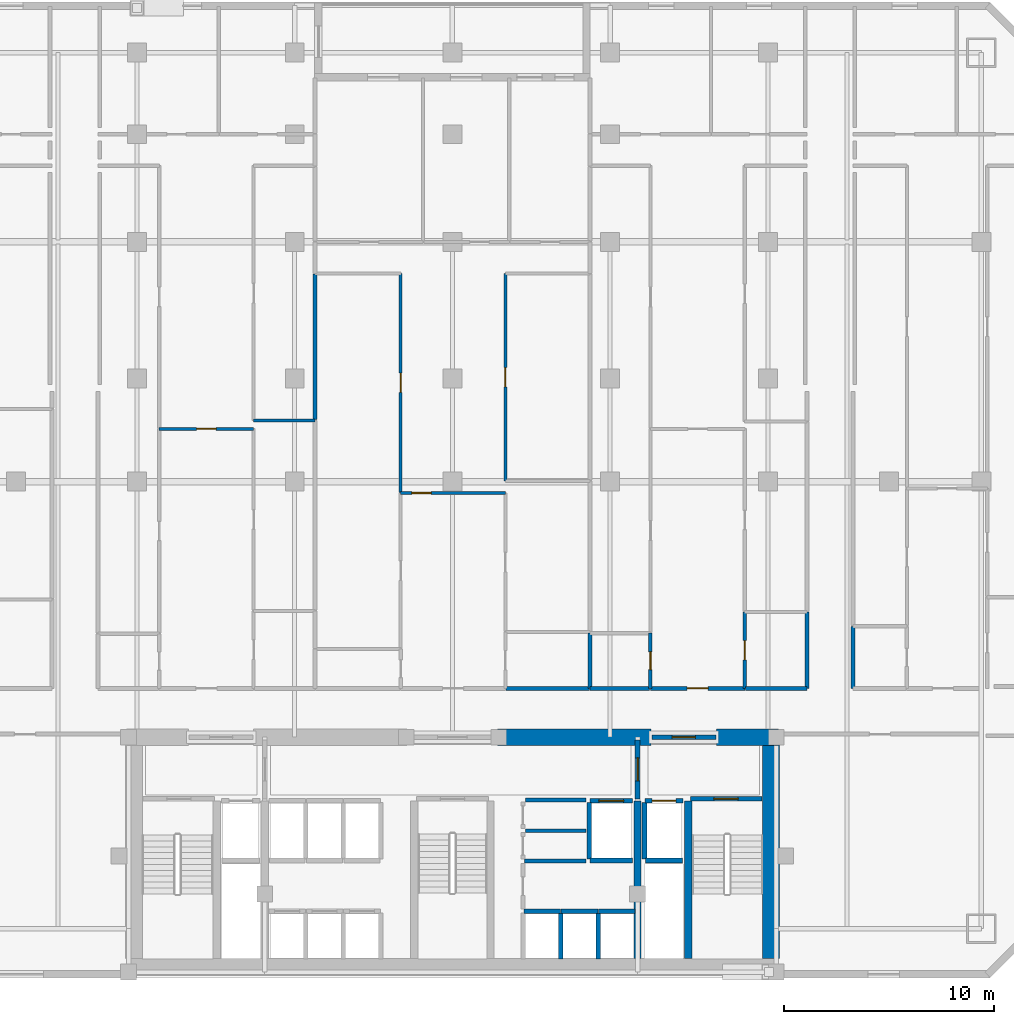
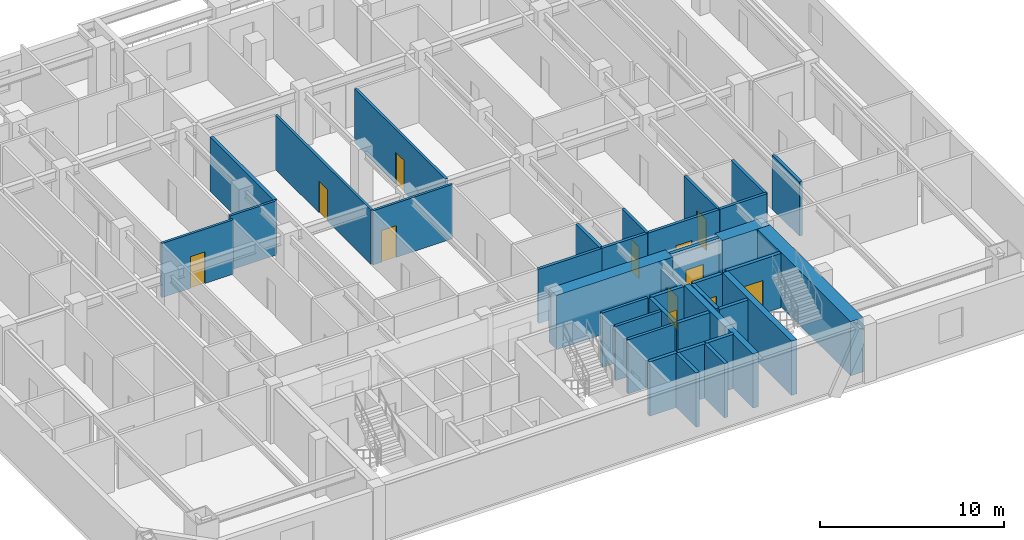
# One storey, part 5 of 10: 37 walls, 12 doors, 12 openings.
"""IFC4 building model written with IfcOpenShell, lengths in metres."""

from ifc_helpers import new_model, si_unit, direction, frame, frame_2d, origin, place, context, subcontext, project, spatial, rectangle, extrude, material, layer, layer_set, type_object, element, fill, save


model = new_model("IFC4")

# Units and contexts
model_context = context("Model", 3, precision=1e-05, world=origin(), true_north=direction((0.0, 1.0)))
body_context = subcontext(model_context, "Body", "Model", "MODEL_VIEW")
ifc_project = project(units=[si_unit("LENGTHUNIT", "METRE"), si_unit("AREAUNIT", "SQUARE_METRE"), si_unit("VOLUMEUNIT", "CUBIC_METRE"), si_unit("PLANEANGLEUNIT", "RADIAN"), si_unit("MASSUNIT", "GRAM", prefix="KILO")], contexts=[model_context])

# Site, building, storey
site_placement = place(None, origin())
site = spatial("IfcSite", under=ifc_project, at=site_placement, CompositionType="ELEMENT")
building_placement = place(site_placement, origin())
building = spatial("IfcBuilding", under=site, at=building_placement, Name="Ventersveld Concourse Tower", CompositionType="ELEMENT")
storey_placement = place(building_placement, frame((0.0, 0.0, 56.75)))
storey = spatial("IfcBuildingStorey", under=building, at=storey_placement, Name="L13", CompositionType="ELEMENT", Elevation=56.75)

# Walls
ifc_material_1 = material(Name="Concrete C60/75", Category="concrete")
ifc_layer_1 = layer(ifc_material_1, 0.35009765625)
ifc_layer_set_1 = layer_set([ifc_layer_1], Name="Concrete C60/75")
wall_type_1 = type_object("IfcWallType", Name="WL-CORE-350L", PredefinedType="SHEAR", material=ifc_layer_set_1)
for number, where, z_axis, x_axis, name in (
    (1, (37.550048828125, 0.919921875, 0.0), (0.0, 0.0, 1.0), (0.0, 1.0, 0.0), "L13 Core Internal Shear Web W-SVL-W"),
    (2, (39.9599609375, 0.919921875, 0.0), (0.0, 0.0, 1.0), (0.0, 1.0, 0.0), "L13 Core Internal Shear Web W-ST2-W"),
):
    element("IfcWall", number, at=place(storey_placement, frame(where, z_axis=z_axis, x_axis=x_axis)), inside=storey, type_object=wall_type_1, Name=name, PredefinedType="SHEAR", context=body_context, shape_type="SweptSolid", body=[
        extrude(rectangle(XDim=7.5, YDim=0.35009765625, at=frame_2d((3.75, 0.0))), origin(), (0.0, 0.0, 1.0), 3.60009765625),
    ])
ifc_layer_2 = layer(ifc_material_1, 0.800048828125)
ifc_layer_set_2 = layer_set([ifc_layer_2], Name="Concrete C60/75")
wall_type_2 = type_object("IfcWallType", Name="WL-CORE-800", PredefinedType="SHEAR", material=ifc_layer_set_2)
wall_1_placement = place(storey_placement, frame((43.89990234375, 0.919921875, 0.0), z_axis=(0.0, 0.0, 1.0), x_axis=(0.0, 1.0, 0.0)))
element("IfcWall", 3, at=wall_1_placement, inside=storey, type_object=wall_type_2, Name="L13 Rear Core East Shear Wall", PredefinedType="SHEAR", context=body_context, shape_type="SweptSolid", body=[
    extrude(rectangle(XDim=10.530029296875, YDim=0.800048828125, at=frame_2d((5.26513671875, 0.0))), origin(), (0.0, 0.0, 1.0), 3.60009765625),
])
wall_2_placement = place(storey_placement, frame((30.89990234375, 11.449951171875, 0.0), z_axis=(0.0, 0.0, 1.0), x_axis=(1.0, 0.0, 0.0)))
element("IfcWall", 4, at=wall_2_placement, inside=storey, type_object=wall_type_2, Name="L13 Rear Core North Shear Wall NMR", PredefinedType="SHEAR", context=body_context, shape_type="SweptSolid", body=[
    extrude(rectangle(XDim=7.300048828125, YDim=0.800048828125, at=frame_2d((3.64990234375, 0.0))), origin(), (0.0, 0.0, 1.0), 3.60009765625),
])
wall_3_placement = place(storey_placement, frame((41.300048828125, 11.449951171875, 0.0), z_axis=(0.0, 0.0, 1.0), x_axis=(1.0, 0.0, 0.0)))
element("IfcWall", 5, at=wall_3_placement, inside=storey, type_object=wall_type_2, Name="L13 Rear Core North Shear Wall NE", PredefinedType="SHEAR", context=body_context, shape_type="SweptSolid", body=[
    extrude(rectangle(XDim=2.949951171875, YDim=0.800048828125, at=frame_2d((1.47509765625, 0.0))), origin(), (0.0, 0.0, 1.0), 3.60009765625),
])
ifc_material_2 = material(Name="Fire-rated autoclaved aerated masonry blockwork", Category="masonry")
ifc_layer_3 = layer(ifc_material_2, 0.179931640625)
ifc_layer_set_3 = layer_set([ifc_layer_3], Name="Fire-rated autoclaved aerated masonry blockwork")
wall_type_3 = type_object("IfcWallType", Name="WL-CORR-180", PredefinedType="PARTITIONING", material=ifc_layer_set_3)
wall_4_placement = place(storey_placement, frame((32.219970703125, 7.0, 0.0), z_axis=(0.0, 0.0, 1.0), x_axis=(1.0, 0.0, 0.0)))
element("IfcWall", 6, at=wall_4_placement, inside=storey, type_object=wall_type_3, Name="L13 Core Top Wall SP-L13-CBAY1S", PredefinedType="PARTITIONING", context=body_context, shape_type="SweptSolid", body=[
    extrude(rectangle(XDim=2.880126953125, YDim=0.179931640625, at=frame_2d((1.43994140625, 0.0))), origin(), (0.0, 0.0, 1.0), 3.60009765625),
])
wall_5_placement = place(storey_placement, frame((32.179931640625, 5.570068359375, 0.0), z_axis=(0.0, 0.0, 1.0), x_axis=(1.0, 0.0, 0.0)))
element("IfcWall", 7, at=wall_5_placement, inside=storey, type_object=wall_type_3, Name="L13 Core Bot Wall SP-L13-CBAY1S", PredefinedType="PARTITIONING", context=body_context, shape_type="SweptSolid", body=[
    extrude(rectangle(XDim=2.920166015625, YDim=0.179931640625, at=frame_2d((1.4599609375, 0.0))), origin(), (0.0, 0.0, 1.0), 3.60009765625),
])
wall_6_placement = place(storey_placement, frame((32.219970703125, 8.4599609375, 0.0), z_axis=(0.0, 0.0, 1.0), x_axis=(1.0, 0.0, 0.0)))
element("IfcWall", 8, at=wall_6_placement, inside=storey, type_object=wall_type_3, Name="L13 Core Top Wall SP-L13-CBAY1N", PredefinedType="PARTITIONING", context=body_context, shape_type="SweptSolid", body=[
    extrude(rectangle(XDim=2.880126953125, YDim=0.179931640625, at=frame_2d((1.43994140625, 0.0))), origin(), (0.0, 0.0, 1.0), 3.60009765625),
])
wall_7_placement = place(storey_placement, frame((47.7900390625, 13.764892578125, 0.0), z_axis=(0.0, 0.0, 1.0), x_axis=(0.0, 1.0, 0.0)))
element("IfcWall", 9, at=wall_7_placement, inside=storey, type_object=wall_type_3, Name="L13 Interior Partition SP-L13-COR-SP-L13-13NE-BATH", PredefinedType="PARTITIONING", context=body_context, shape_type="SweptSolid", body=[
    extrude(rectangle(XDim=2.957275390625, YDim=0.179931640625, at=frame_2d((1.478515625, 0.0))), origin(), (0.0, 0.0, 1.0), 3.60009765625),
])

# Wall, opening, door
wall_8_placement = place(storey_placement, frame((38.16064453125, 13.77001953125, 0.0), z_axis=(0.0, 0.0, 1.0), x_axis=(1.0, 0.0, 0.0)))
wall_8 = element("IfcWall", 10, at=wall_8_placement, inside=storey, type_object=wall_type_3, Name="L13 Interior Partition SP-L13-COR-SP-L13-13CE-FOY", PredefinedType="PARTITIONING", context=body_context, shape_type="SweptSolid", body=[
    extrude(rectangle(XDim=4.494384765625, YDim=0.179931640625, at=frame_2d((2.2470703125, 0.0))), origin(), (0.0, 0.0, 1.0), 3.60009765625),
])
opening_1_placement = place(wall_8_placement, frame((1.747314453125, 0.0, 0.0)))
opening_1 = element("IfcOpeningElement", 11, at=opening_1_placement, cuts=wall_8, Name="Opening FD3", PredefinedType="OPENING", context=body_context, shape_type="SweptSolid", body=[
    extrude(rectangle(XDim=1.0, YDim=2.14990234375, at=frame_2d((0.5, 1.074951171875))), frame((0.0, 0.10009765625, 0.0), z_axis=(0.0, -1.0, 0.0), x_axis=(1.0, 0.0, 0.0)), (0.0, 0.0, 1.0), 0.199951171875),
])
ifc_material_3 = material(Name="Solid-core hardwood veneer timber", Category="wood")
door_type_1 = type_object("IfcDoorType", Name="DR-FLAT-100", OperationType="NOTDEFINED", PredefinedType="DOOR", material=ifc_material_3)
door_1_placement = place(opening_1_placement, origin())
door_1 = element("IfcDoor", 12, at=door_1_placement, inside=storey, type_object=door_type_1, Name="L13 Interior Door SP-L13-COR to SP-L13-13CE-FOY (FD-L13-0547)", OperationType="SINGLE_SWING_LEFT", OverallHeight=2.14990234375, OverallWidth=1.0, PredefinedType="DOOR", context=body_context, shape_type="SweptSolid", body=[
    extrude(rectangle(XDim=1.0, YDim=2.14990234375, at=frame_2d((0.5, 1.074951171875))), frame((0.0, 0.02490234375, 0.0), z_axis=(0.0, -1.0, 0.0), x_axis=(1.0, 0.0, 0.0)), (0.0, 0.0, 1.0), 0.050048828125),
])
fill(opening_1, door_1)

# Walls
wall_9_placement = place(storey_placement, frame((35.284912109375, 13.77001953125, 0.0), z_axis=(0.0, 0.0, 1.0), x_axis=(1.0, 0.0, 0.0)))
element("IfcWall", 13, at=wall_9_placement, inside=storey, type_object=wall_type_3, Name="L13 Interior Partition SP-L13-COR-SP-L13-13CE-BATH", PredefinedType="PARTITIONING", context=body_context, shape_type="SweptSolid", body=[
    extrude(rectangle(XDim=2.845703125, YDim=0.179931640625, at=frame_2d((1.4228515625, 0.0))), origin(), (0.0, 0.0, 1.0), 3.60009765625),
])
wall_10_placement = place(storey_placement, frame((45.610107421875, 13.764892578125, 0.0), z_axis=(0.0, 0.0, 1.0), x_axis=(0.0, 1.0, 0.0)))
element("IfcWall", 14, at=wall_10_placement, inside=storey, type_object=wall_type_3, Name="L13 Interior Partition SP-L13-COR-SP-L13-13CE-KIT", PredefinedType="PARTITIONING", context=body_context, shape_type="SweptSolid", body=[
    extrude(rectangle(XDim=3.643310546875, YDim=0.179931640625, at=frame_2d((1.82177734375, 0.0))), origin(), (0.0, 0.0, 1.0), 3.60009765625),
])
wall_11_placement = place(storey_placement, frame((42.68505859375, 13.77001953125, 0.0), z_axis=(0.0, 0.0, 1.0), x_axis=(1.0, 0.0, 0.0)))
element("IfcWall", 15, at=wall_11_placement, inside=storey, type_object=wall_type_3, Name="L13 Interior Partition SP-L13-COR-SP-L13-13CE-KIT", PredefinedType="PARTITIONING", context=body_context, shape_type="SweptSolid", body=[
    extrude(rectangle(XDim=2.929931640625, YDim=0.179931640625, at=frame_2d((1.46484375, 0.0))), origin(), (0.0, 0.0, 1.0), 3.60009765625),
])
wall_12_placement = place(storey_placement, frame((31.3017578125, 13.77001953125, 0.0), z_axis=(0.0, 0.0, 1.0), x_axis=(1.0, 0.0, 0.0)))
element("IfcWall", 16, at=wall_12_placement, inside=storey, type_object=wall_type_3, Name="L13 Interior Partition SP-L13-COR-SP-L13-13CM-KIT", PredefinedType="PARTITIONING", context=body_context, shape_type="SweptSolid", body=[
    extrude(rectangle(XDim=3.953125, YDim=0.179931640625, at=frame_2d((1.9765625, 0.0))), origin(), (0.0, 0.0, 1.0), 3.60009765625),
])
ifc_layer_4 = layer(ifc_material_2, 0.199951171875)
ifc_layer_set_4 = layer_set([ifc_layer_4], Name="Fire-rated autoclaved aerated masonry blockwork")
wall_type_4 = type_object("IfcWallType", Name="WL-DEMISE-200", PredefinedType="PARTITIONING", material=ifc_layer_set_4)
wall_13_placement = place(storey_placement, frame((22.2099609375, 26.545654296875, 0.0), z_axis=(0.0, 0.0, 1.0), x_axis=(0.0, 1.0, 0.0)))
element("IfcWall", 17, at=wall_13_placement, inside=storey, type_object=wall_type_4, Name="L13 Interior Partition SP-L13-13CW-DENS-SP-L13-13CM-DENL", PredefinedType="PARTITIONING", context=body_context, shape_type="SweptSolid", body=[
    extrude(rectangle(XDim=6.91943359375, YDim=0.199951171875, at=frame_2d((3.459716796875, 0.0))), origin(), (0.0, 0.0, 1.0), 3.60009765625),
])
wall_14_placement = place(storey_placement, frame((35.2900390625, 13.764892578125, 0.0), z_axis=(0.0, 0.0, 1.0), x_axis=(0.0, 1.0, 0.0)))
element("IfcWall", 18, at=wall_14_placement, inside=storey, type_object=wall_type_4, Name="L13 Interior Partition SP-L13-13CE-BATH-SP-L13-13CM-KIT", PredefinedType="PARTITIONING", context=body_context, shape_type="SweptSolid", body=[
    extrude(rectangle(XDim=2.638427734375, YDim=0.199951171875, at=frame_2d((1.3193359375, 0.0))), origin(), (0.0, 0.0, 1.0), 3.60009765625),
])
ifc_layer_5 = layer(ifc_material_2, 0.219970703125)
ifc_layer_set_5 = layer_set([ifc_layer_5], Name="Fire-rated autoclaved aerated masonry blockwork")
wall_type_5 = type_object("IfcWallType", Name="WL-HOIST-220", PredefinedType="SOLIDWALL", material=ifc_layer_set_5)
wall_15_placement = place(storey_placement, frame((37.919921875, 5.590087890625, 0.0), z_axis=(0.0, 0.0, 1.0), x_axis=(1.0, 0.0, 0.0)))
element("IfcWall", 19, at=wall_15_placement, inside=storey, type_object=wall_type_5, Name="L13 Lift Hoistway Back Wall FFL-02", PredefinedType="SOLIDWALL", context=body_context, shape_type="SweptSolid", body=[
    extrude(rectangle(XDim=1.780029296875, YDim=0.219970703125, at=frame_2d((0.89013671875, 0.0))), origin(), (0.0, 0.0, 1.0), 3.60009765625),
])
wall_16_placement = place(storey_placement, frame((37.8798828125, 5.64990234375, 0.0), z_axis=(0.0, 0.0, 1.0), x_axis=(0.0, 1.0, 0.0)))
element("IfcWall", 20, at=wall_16_placement, inside=storey, type_object=wall_type_5, Name="L13 Lift Hoistway Side Wall FFL-02W", PredefinedType="SOLIDWALL", context=body_context, shape_type="SweptSolid", body=[
    extrude(rectangle(XDim=2.7001953125, YDim=0.219970703125, at=frame_2d((1.35009765625, 0.0))), origin(), (0.0, 0.0, 1.0), 3.60009765625),
])

# Wall, opening, door
wall_17_placement = place(storey_placement, frame((37.89990234375, 8.429931640625, 0.0), z_axis=(0.0, 0.0, 1.0), x_axis=(1.0, 0.0, 0.0)))
wall_17 = element("IfcWall", 21, at=wall_17_placement, inside=storey, type_object=wall_type_5, Name="L13 Lift Hoistway Front Wall FFL-02", PredefinedType="SOLIDWALL", context=body_context, shape_type="SweptSolid", body=[
    extrude(rectangle(XDim=1.820068359375, YDim=0.219970703125, at=frame_2d((0.91015625, 0.0))), origin(), (0.0, 0.0, 1.0), 3.60009765625),
])
opening_2_placement = place(wall_17_placement, frame((0.35009765625, 0.0, 0.0)))
opening_2 = element("IfcOpeningElement", 22, at=opening_2_placement, cuts=wall_17, Name="Opening LD1", PredefinedType="OPENING", context=body_context, shape_type="SweptSolid", body=[
    extrude(rectangle(XDim=1.1201171875, YDim=2.25, at=frame_2d((0.56005859375, 1.125))), frame((0.0, 0.1201171875, 0.0), z_axis=(0.0, -1.0, 0.0), x_axis=(1.0, 0.0, 0.0)), (0.0, 0.0, 1.0), 0.239990234375),
])
ifc_material_4 = material(Name="Brushed stainless steel 316", Category="steel")
door_type_2 = type_object("IfcDoorType", Name="LD-FF-112", OperationType="SLIDING_TO_LEFT", PredefinedType="DOOR", material=ifc_material_4)
door_2_placement = place(opening_2_placement, origin())
door_2 = element("IfcDoor", 23, at=door_2_placement, inside=storey, type_object=door_type_2, Name="L13 Lift landing door FFL-02 (LD-L13-FFL-02)", OperationType="SLIDING_TO_RIGHT", OverallHeight=2.25, OverallWidth=1.1201171875, PredefinedType="DOOR", context=body_context, shape_type="SweptSolid", body=[
    extrude(rectangle(XDim=1.1201171875, YDim=2.25, at=frame_2d((0.56005859375, 1.125))), frame((0.0, 0.02490234375, 0.0), z_axis=(0.0, -1.0, 0.0), x_axis=(1.0, 0.0, 0.0)), (0.0, 0.0, 1.0), 0.050048828125),
])
fill(opening_2, door_2)

# Walls
wall_18_placement = place(storey_placement, frame((35.300048828125, 5.590087890625, 0.0), z_axis=(0.0, 0.0, 1.0), x_axis=(1.0, 0.0, 0.0)))
element("IfcWall", 24, at=wall_18_placement, inside=storey, type_object=wall_type_5, Name="L13 Lift Hoistway Back Wall SVL-01", PredefinedType="SOLIDWALL", context=body_context, shape_type="SweptSolid", body=[
    extrude(rectangle(XDim=2.0, YDim=0.219970703125, at=frame_2d((1.0, 0.0))), origin(), (0.0, 0.0, 1.0), 3.60009765625),
])
wall_19_placement = place(storey_placement, frame((35.260009765625, 5.64990234375, 0.0), z_axis=(0.0, 0.0, 1.0), x_axis=(0.0, 1.0, 0.0)))
element("IfcWall", 25, at=wall_19_placement, inside=storey, type_object=wall_type_5, Name="L13 Lift Hoistway Side Wall SVL-01W", PredefinedType="SOLIDWALL", context=body_context, shape_type="SweptSolid", body=[
    extrude(rectangle(XDim=2.7001953125, YDim=0.219970703125, at=frame_2d((1.35009765625, 0.0))), origin(), (0.0, 0.0, 1.0), 3.60009765625),
])

# Wall, opening, door
wall_20_placement = place(storey_placement, frame((35.280029296875, 8.429931640625, 0.0), z_axis=(0.0, 0.0, 1.0), x_axis=(1.0, 0.0, 0.0)))
wall_20 = element("IfcWall", 26, at=wall_20_placement, inside=storey, type_object=wall_type_5, Name="L13 Lift Hoistway Front Wall SVL-01", PredefinedType="SOLIDWALL", context=body_context, shape_type="SweptSolid", body=[
    extrude(rectangle(XDim=2.0400390625, YDim=0.219970703125, at=frame_2d((1.02001953125, 0.0))), origin(), (0.0, 0.0, 1.0), 3.60009765625),
])
opening_3_placement = place(wall_20_placement, frame((0.429931640625, 0.0, 0.0)))
opening_3 = element("IfcOpeningElement", 27, at=opening_3_placement, cuts=wall_20, Name="Opening LD2", PredefinedType="OPENING", context=body_context, shape_type="SweptSolid", body=[
    extrude(rectangle(XDim=1.179931640625, YDim=2.199951171875, at=frame_2d((0.58984375, 1.10009765625))), frame((0.0, 0.1201171875, 0.0), z_axis=(0.0, -1.0, 0.0), x_axis=(1.0, 0.0, 0.0)), (0.0, 0.0, 1.0), 0.239990234375),
])
door_type_3 = type_object("IfcDoorType", Name="LD-PAX-118", OperationType="SLIDING_TO_LEFT", PredefinedType="DOOR", material=ifc_material_4)
door_3_placement = place(opening_3_placement, origin())
door_3 = element("IfcDoor", 28, at=door_3_placement, inside=storey, type_object=door_type_3, Name="L13 Lift landing door SVL-01 (LD-L13-SVL-01)", OperationType="SLIDING_TO_LEFT", OverallHeight=2.199951171875, OverallWidth=1.179931640625, PredefinedType="DOOR", context=body_context, shape_type="SweptSolid", body=[
    extrude(rectangle(XDim=1.179931640625, YDim=2.199951171875, at=frame_2d((0.58984375, 1.10009765625))), frame((0.0, 0.02490234375, 0.0), z_axis=(0.0, -1.0, 0.0), x_axis=(1.0, 0.0, 0.0)), (0.0, 0.0, 1.0), 0.050048828125),
])
fill(opening_3, door_3)

# Walls
wall_21_placement = place(storey_placement, frame((33.89990234375, 0.89990234375, 0.0), z_axis=(0.0, 0.0, 1.0), x_axis=(0.0, 1.0, 0.0)))
element("IfcWall", 29, at=wall_21_placement, inside=storey, type_object=wall_type_5, Name="L13 Lift Hoistway Side Wall PM-01E", PredefinedType="SOLIDWALL", context=body_context, shape_type="SweptSolid", body=[
    extrude(rectangle(XDim=2.2001953125, YDim=0.219970703125, at=frame_2d((1.10009765625, 0.0))), origin(), (0.0, 0.0, 1.0), 3.60009765625),
])
wall_22_placement = place(storey_placement, frame((32.139892578125, 3.179931640625, 0.0), z_axis=(0.0, 0.0, 1.0), x_axis=(1.0, 0.0, 0.0)))
element("IfcWall", 30, at=wall_22_placement, inside=storey, type_object=wall_type_5, Name="L13 Lift Hoistway Front Wall PM-01", PredefinedType="SOLIDWALL", context=body_context, shape_type="SweptSolid", body=[
    extrude(rectangle(XDim=1.739990234375, YDim=0.219970703125, at=frame_2d((0.8701171875, 0.0))), origin(), (0.0, 0.0, 1.0), 3.60009765625),
])
wall_23_placement = place(storey_placement, frame((35.679931640625, 0.89990234375, 0.0), z_axis=(0.0, 0.0, 1.0), x_axis=(0.0, 1.0, 0.0)))
element("IfcWall", 31, at=wall_23_placement, inside=storey, type_object=wall_type_5, Name="L13 Lift Hoistway Side Wall PM-02E", PredefinedType="SOLIDWALL", context=body_context, shape_type="SweptSolid", body=[
    extrude(rectangle(XDim=2.2001953125, YDim=0.219970703125, at=frame_2d((1.10009765625, 0.0))), origin(), (0.0, 0.0, 1.0), 3.60009765625),
])
for number, where, z_axis, x_axis, name in (
    (32, (33.919921875, 3.179931640625, 0.0), (0.0, 0.0, 1.0), (1.0, 0.0, 0.0), "L13 Lift Hoistway Front Wall PM-02"),
    (33, (35.699951171875, 3.179931640625, 0.0), (0.0, 0.0, 1.0), (1.0, 0.0, 0.0), "L13 Lift Hoistway Front Wall PM-03"),
):
    element("IfcWall", number, at=place(storey_placement, frame(where, z_axis=z_axis, x_axis=x_axis)), inside=storey, type_object=wall_type_5, Name=name, PredefinedType="SOLIDWALL", context=body_context, shape_type="SweptSolid", body=[
        extrude(rectangle(XDim=1.739990234375, YDim=0.219970703125, at=frame_2d((0.8701171875, 0.0))), origin(), (0.0, 0.0, 1.0), 3.60009765625),
    ])

# Wall, opening, door
wall_24_placement = place(storey_placement, frame((40.06005859375, 8.52001953125, 0.0), z_axis=(0.0, 0.0, 1.0), x_axis=(1.0, 0.0, 0.0)))
wall_24 = element("IfcWall", 34, at=wall_24_placement, inside=storey, type_object=wall_type_5, Name="L13 Escape Stair ST02 Fire Wall", PredefinedType="SOLIDWALL", context=body_context, shape_type="SweptSolid", body=[
    extrude(rectangle(XDim=3.39990234375, YDim=0.219970703125, at=frame_2d((1.699951171875, 0.0))), origin(), (0.0, 0.0, 1.0), 3.60009765625),
])
opening_4_placement = place(wall_24_placement, frame((1.125, 0.0, 0.0)))
opening_4 = element("IfcOpeningElement", 35, at=opening_4_placement, cuts=wall_24, Name="Opening FD1", PredefinedType="OPENING", context=body_context, shape_type="SweptSolid", body=[
    extrude(rectangle(XDim=1.14990234375, YDim=2.199951171875, at=frame_2d((0.574951171875, 1.10009765625))), frame((0.0, 0.1201171875, 0.0), z_axis=(0.0, -1.0, 0.0), x_axis=(1.0, 0.0, 0.0)), (0.0, 0.0, 1.0), 0.239990234375),
])
ifc_material_5 = material(Name="Galvanised painted steel", Category="steel")
door_type_4 = type_object("IfcDoorType", Name="DR-STAIR-115", OperationType="NOTDEFINED", PredefinedType="DOOR", material=ifc_material_5)
door_4_placement = place(opening_4_placement, origin())
door_4 = element("IfcDoor", 36, at=door_4_placement, inside=storey, type_object=door_type_4, Name="L13 Escape Stair Door ST02 (SD-L13-0532)", OperationType="SINGLE_SWING_RIGHT", OverallHeight=2.199951171875, OverallWidth=1.14990234375, PredefinedType="DOOR", context=body_context, shape_type="SweptSolid", body=[
    extrude(rectangle(XDim=1.14990234375, YDim=2.199951171875, at=frame_2d((0.574951171875, 1.10009765625))), frame((0.0, 0.02490234375, 0.0), z_axis=(0.0, -1.0, 0.0), x_axis=(1.0, 0.0, 0.0)), (0.0, 0.0, 1.0), 0.050048828125),
])
fill(opening_4, door_4)

wall_25_placement = place(storey_placement, frame((37.550048828125, 8.52001953125, 0.0), z_axis=(0.0, 0.0, 1.0), x_axis=(0.0, 1.0, 0.0)))
wall_25 = element("IfcWall", 37, at=wall_25_placement, inside=storey, type_object=wall_type_5, Name="L13 Firefighting Lobby Smoke-Stop Wall FFLE-SEP", PredefinedType="SOLIDWALL", context=body_context, shape_type="SweptSolid", body=[
    extrude(rectangle(XDim=2.800048828125, YDim=0.219970703125, at=frame_2d((1.39990234375, 0.0))), origin(), (0.0, 0.0, 1.0), 3.055419921875),
])
opening_5_placement = place(wall_25_placement, frame((0.85009765625, 0.0, 0.0)))
opening_5 = element("IfcOpeningElement", 38, at=opening_5_placement, cuts=wall_25, Name="Opening FD2", PredefinedType="OPENING", context=body_context, shape_type="SweptSolid", body=[
    extrude(rectangle(XDim=1.10009765625, YDim=2.199951171875, at=frame_2d((0.550048828125, 1.10009765625))), frame((0.0, 0.1201171875, 0.0), z_axis=(0.0, -1.0, 0.0), x_axis=(1.0, 0.0, 0.0)), (0.0, 0.0, 1.0), 0.239990234375),
])
door_type_5 = type_object("IfcDoorType", Name="DR-FFL-110", OperationType="NOTDEFINED", PredefinedType="DOOR", material=ifc_material_5)
door_5_placement = place(opening_5_placement, origin())
door_5 = element("IfcDoor", 39, at=door_5_placement, inside=storey, type_object=door_type_5, Name="L13 Firefighting Lobby Door FFLE-SEP (FD-L13-0535)", OperationType="SINGLE_SWING_RIGHT", OverallHeight=2.199951171875, OverallWidth=1.10009765625, PredefinedType="DOOR", context=body_context, shape_type="SweptSolid", body=[
    extrude(rectangle(XDim=1.10009765625, YDim=2.199951171875, at=frame_2d((0.550048828125, 1.10009765625))), frame((0.0, 0.02490234375, 0.0), z_axis=(0.0, -1.0, 0.0), x_axis=(1.0, 0.0, 0.0)), (0.0, 0.0, 1.0), 0.050048828125),
])
fill(opening_5, door_5)

wall_26_placement = place(storey_placement, frame((38.22998046875, 11.449951171875, 0.0), z_axis=(0.0, 0.0, 1.0), x_axis=(1.0, 0.0, 0.0)))
wall_26 = element("IfcWall", 40, at=wall_26_placement, inside=storey, type_object=wall_type_5, Name="L13 Core North Fire Portal FFLE-OUT", PredefinedType="SOLIDWALL", context=body_context, shape_type="SweptSolid", body=[
    extrude(rectangle(XDim=3.0400390625, YDim=0.219970703125, at=frame_2d((1.52001953125, 0.0))), origin(), (0.0, 0.0, 1.0), 3.60009765625),
])
opening_6_placement = place(wall_26_placement, frame((0.969970703125, 0.0, 0.0)))
opening_6 = element("IfcOpeningElement", 41, at=opening_6_placement, cuts=wall_26, Name="Opening FD2", PredefinedType="OPENING", context=body_context, shape_type="SweptSolid", body=[
    extrude(rectangle(XDim=1.10009765625, YDim=2.199951171875, at=frame_2d((0.550048828125, 1.10009765625))), frame((0.0, 0.1201171875, 0.0), z_axis=(0.0, -1.0, 0.0), x_axis=(1.0, 0.0, 0.0)), (0.0, 0.0, 1.0), 0.239990234375),
])
door_6_placement = place(opening_6_placement, origin())
door_6 = element("IfcDoor", 42, at=door_6_placement, inside=storey, type_object=door_type_5, Name="L13 Core Lobby Fire Door FFLE-OUT (FD-L13-0538)", OperationType="SINGLE_SWING_LEFT", OverallHeight=2.199951171875, OverallWidth=1.10009765625, PredefinedType="DOOR", context=body_context, shape_type="SweptSolid", body=[
    extrude(rectangle(XDim=1.10009765625, YDim=2.199951171875, at=frame_2d((0.550048828125, 1.10009765625))), frame((0.0, 0.02490234375, 0.0), z_axis=(0.0, -1.0, 0.0), x_axis=(1.0, 0.0, 0.0)), (0.0, 0.0, 1.0), 0.050048828125),
])
fill(opening_6, door_6)

ifc_material_6 = material(Name="Autoclaved aerated masonry blockwork", Category="masonry")
ifc_layer_6 = layer(ifc_material_6, 0.14990234375)
ifc_layer_set_6 = layer_set([ifc_layer_6], Name="Autoclaved aerated masonry blockwork")
wall_type_6 = type_object("IfcWallType", Name="WL-INT-150", PredefinedType="PARTITIONING", material=ifc_layer_set_6)
wall_27_placement = place(storey_placement, frame((14.802734375, 26.11181640625, 0.0), z_axis=(0.0, 0.0, 1.0), x_axis=(1.0, 0.0, 0.0)))
wall_27 = element("IfcWall", 43, at=wall_27_placement, inside=storey, type_object=wall_type_6, Name="L13 Interior Partition SP-L13-13CW-FOY-SP-L13-13CW-LIV", PredefinedType="PARTITIONING", context=body_context, shape_type="SweptSolid", body=[
    extrude(rectangle(XDim=4.494384765625, YDim=0.14990234375, at=frame_2d((2.2470703125, 0.0))), origin(), (0.0, 0.0, 1.0), 3.60009765625),
])
opening_7_placement = place(wall_27_placement, frame((1.787109375, 0.0, 0.0)))
opening_7 = element("IfcOpeningElement", 44, at=opening_7_placement, cuts=wall_27, Name="Opening ID1", PredefinedType="OPENING", context=body_context, shape_type="SweptSolid", body=[
    extrude(rectangle(XDim=0.919921875, YDim=2.10009765625, at=frame_2d((0.4599609375, 1.050048828125))), frame((0.0, 0.0849609375, 0.0), z_axis=(0.0, -1.0, 0.0), x_axis=(1.0, 0.0, 0.0)), (0.0, 0.0, 1.0), 0.169921875),
])
door_type_6 = type_object("IfcDoorType", Name="DR-ROOM-092", OperationType="NOTDEFINED", PredefinedType="DOOR", material=ifc_material_3)
door_7_placement = place(opening_7_placement, origin())
door_7 = element("IfcDoor", 45, at=door_7_placement, inside=storey, type_object=door_type_6, Name="L13 Interior Door SP-L13-13CW-FOY to SP-L13-13CW-LIV (D-L13-0568)", OperationType="SINGLE_SWING_RIGHT", OverallHeight=2.10009765625, OverallWidth=0.919921875, PredefinedType="DOOR", context=body_context, shape_type="SweptSolid", body=[
    extrude(rectangle(XDim=0.919921875, YDim=2.10009765625, at=frame_2d((0.4599609375, 1.050048828125))), frame((0.0, 0.02490234375, 0.0), z_axis=(0.0, -1.0, 0.0), x_axis=(1.0, 0.0, 0.0)), (0.0, 0.0, 1.0), 0.050048828125),
])
fill(opening_7, door_7)

# Wall
wall_28_placement = place(storey_placement, frame((19.287109375, 26.5107421875, 0.0), z_axis=(0.0, 0.0, 1.0), x_axis=(1.0, 0.0, 0.0)))
element("IfcWall", 46, at=wall_28_placement, inside=storey, type_object=wall_type_6, Name="L13 Interior Partition SP-L13-13CW-DENR-SP-L13-13CW-DENS", PredefinedType="PARTITIONING", context=body_context, shape_type="SweptSolid", body=[
    extrude(rectangle(XDim=2.927978515625, YDim=0.14990234375, at=frame_2d((1.4638671875, 0.0))), origin(), (0.0, 0.0, 1.0), 3.60009765625),
])

# Wall, opening, door
wall_29_placement = place(storey_placement, frame((42.64990234375, 13.764892578125, 0.0), z_axis=(0.0, 0.0, 1.0), x_axis=(0.0, 1.0, 0.0)))
wall_29 = element("IfcWall", 47, at=wall_29_placement, inside=storey, type_object=wall_type_6, Name="L13 Interior Partition SP-L13-13CE-FOY-SP-L13-13CE-KIT", PredefinedType="PARTITIONING", context=body_context, shape_type="SweptSolid", body=[
    extrude(rectangle(XDim=3.643310546875, YDim=0.14990234375, at=frame_2d((1.82177734375, 0.0))), origin(), (0.0, 0.0, 1.0), 3.60009765625),
])
opening_8_placement = place(wall_29_placement, frame((1.361572265625, 0.0, 0.0)))
opening_8 = element("IfcOpeningElement", 48, at=opening_8_placement, cuts=wall_29, Name="Opening ID1", PredefinedType="OPENING", context=body_context, shape_type="SweptSolid", body=[
    extrude(rectangle(XDim=0.919921875, YDim=2.10009765625, at=frame_2d((0.4599609375, 1.050048828125))), frame((0.0, 0.0849609375, 0.0), z_axis=(0.0, -1.0, 0.0), x_axis=(1.0, 0.0, 0.0)), (0.0, 0.0, 1.0), 0.169921875),
])
door_8_placement = place(opening_8_placement, origin())
door_8 = element("IfcDoor", 49, at=door_8_placement, inside=storey, type_object=door_type_6, Name="L13 Interior Door SP-L13-13CE-FOY to SP-L13-13CE-KIT (D-L13-0580)", OperationType="SINGLE_SWING_RIGHT", OverallHeight=2.10009765625, OverallWidth=0.919921875, PredefinedType="DOOR", context=body_context, shape_type="SweptSolid", body=[
    extrude(rectangle(XDim=0.919921875, YDim=2.10009765625, at=frame_2d((0.4599609375, 1.050048828125))), frame((0.0, 0.02490234375, 0.0), z_axis=(0.0, -1.0, 0.0), x_axis=(1.0, 0.0, 0.0)), (0.0, 0.0, 1.0), 0.050048828125),
])
fill(opening_8, door_8)

wall_30_placement = place(storey_placement, frame((26.28173828125, 23.060791015625, 0.0), z_axis=(0.0, 0.0, 1.0), x_axis=(1.0, 0.0, 0.0)))
wall_30 = element("IfcWall", 50, at=wall_30_placement, inside=storey, type_object=wall_type_6, Name="L13 Interior Partition SP-L13-13CM-FOY-SP-L13-13CM-LIV", PredefinedType="PARTITIONING", context=body_context, shape_type="SweptSolid", body=[
    extrude(rectangle(XDim=4.989990234375, YDim=0.14990234375, at=frame_2d((2.4951171875, 0.0))), origin(), (0.0, 0.0, 1.0), 3.60009765625),
])
opening_9_placement = place(wall_30_placement, frame((0.5380859375, 0.0, 0.0)))
opening_9 = element("IfcOpeningElement", 51, at=opening_9_placement, cuts=wall_30, Name="Opening ID1", PredefinedType="OPENING", context=body_context, shape_type="SweptSolid", body=[
    extrude(rectangle(XDim=0.919921875, YDim=2.10009765625, at=frame_2d((0.4599609375, 1.050048828125))), frame((0.0, 0.0849609375, 0.0), z_axis=(0.0, -1.0, 0.0), x_axis=(1.0, 0.0, 0.0)), (0.0, 0.0, 1.0), 0.169921875),
])
door_9_placement = place(opening_9_placement, origin())
door_9 = element("IfcDoor", 52, at=door_9_placement, inside=storey, type_object=door_type_6, Name="L13 Interior Door SP-L13-13CM-FOY to SP-L13-13CM-LIV (D-L13-0586)", OperationType="SINGLE_SWING_RIGHT", OverallHeight=2.10009765625, OverallWidth=0.919921875, PredefinedType="DOOR", context=body_context, shape_type="SweptSolid", body=[
    extrude(rectangle(XDim=0.919921875, YDim=2.10009765625, at=frame_2d((0.4599609375, 1.050048828125))), frame((0.0, 0.02490234375, 0.0), z_axis=(0.0, -1.0, 0.0), x_axis=(1.0, 0.0, 0.0)), (0.0, 0.0, 1.0), 0.050048828125),
])
fill(opening_9, door_9)

wall_31_placement = place(storey_placement, frame((26.286865234375, 23.095703125, 0.0), z_axis=(0.0, 0.0, 1.0), x_axis=(0.0, 1.0, 0.0)))
wall_31 = element("IfcWall", 53, at=wall_31_placement, inside=storey, type_object=wall_type_6, Name="L13 Interior Partition SP-L13-13CM-LIV-SP-L13-13CM-DENL", PredefinedType="PARTITIONING", context=body_context, shape_type="SweptSolid", body=[
    extrude(rectangle(XDim=10.4091796875, YDim=0.14990234375, at=frame_2d((5.20458984375, 0.0))), origin(), (0.0, 0.0, 1.0), 3.60009765625),
])
opening_10_placement = place(wall_31_placement, frame((4.74462890625, 0.0, 0.0)))
opening_10 = element("IfcOpeningElement", 54, at=opening_10_placement, cuts=wall_31, Name="Opening ID1", PredefinedType="OPENING", context=body_context, shape_type="SweptSolid", body=[
    extrude(rectangle(XDim=0.919921875, YDim=2.10009765625, at=frame_2d((0.4599609375, 1.050048828125))), frame((0.0, 0.0849609375, 0.0), z_axis=(0.0, -1.0, 0.0), x_axis=(1.0, 0.0, 0.0)), (0.0, 0.0, 1.0), 0.169921875),
])
door_10_placement = place(opening_10_placement, origin())
door_10 = element("IfcDoor", 55, at=door_10_placement, inside=storey, type_object=door_type_6, Name="L13 Interior Door SP-L13-13CM-LIV to SP-L13-13CM-DENL (D-L13-0591)", OperationType="SINGLE_SWING_LEFT", OverallHeight=2.10009765625, OverallWidth=0.919921875, PredefinedType="DOOR", context=body_context, shape_type="SweptSolid", body=[
    extrude(rectangle(XDim=0.919921875, YDim=2.10009765625, at=frame_2d((0.4599609375, 1.050048828125))), frame((0.0, 0.02490234375, 0.0), z_axis=(0.0, -1.0, 0.0), x_axis=(1.0, 0.0, 0.0)), (0.0, 0.0, 1.0), 0.050048828125),
])
fill(opening_10, door_10)

wall_32_placement = place(storey_placement, frame((31.266845703125, 23.628173828125, 0.0), z_axis=(0.0, 0.0, 1.0), x_axis=(0.0, 1.0, 0.0)))
wall_32 = element("IfcWall", 56, at=wall_32_placement, inside=storey, type_object=wall_type_6, Name="L13 Interior Partition SP-L13-13CM-LIV-SP-L13-13CM-DENS", PredefinedType="PARTITIONING", context=body_context, shape_type="SweptSolid", body=[
    extrude(rectangle(XDim=9.876708984375, YDim=0.14990234375, at=frame_2d((4.9384765625, 0.0))), origin(), (0.0, 0.0, 1.0), 3.60009765625),
])
opening_11_placement = place(wall_32_placement, frame((4.478515625, 0.0, 0.0)))
opening_11 = element("IfcOpeningElement", 57, at=opening_11_placement, cuts=wall_32, Name="Opening ID1", PredefinedType="OPENING", context=body_context, shape_type="SweptSolid", body=[
    extrude(rectangle(XDim=0.919921875, YDim=2.10009765625, at=frame_2d((0.4599609375, 1.050048828125))), frame((0.0, 0.0849609375, 0.0), z_axis=(0.0, -1.0, 0.0), x_axis=(1.0, 0.0, 0.0)), (0.0, 0.0, 1.0), 0.169921875),
])
door_11_placement = place(opening_11_placement, origin())
door_11 = element("IfcDoor", 58, at=door_11_placement, inside=storey, type_object=door_type_6, Name="L13 Interior Door SP-L13-13CM-LIV to SP-L13-13CM-DENS (D-L13-0592)", OperationType="SINGLE_SWING_RIGHT", OverallHeight=2.10009765625, OverallWidth=0.919921875, PredefinedType="DOOR", context=body_context, shape_type="SweptSolid", body=[
    extrude(rectangle(XDim=0.919921875, YDim=2.10009765625, at=frame_2d((0.4599609375, 1.050048828125))), frame((0.0, 0.02490234375, 0.0), z_axis=(0.0, -1.0, 0.0), x_axis=(1.0, 0.0, 0.0)), (0.0, 0.0, 1.0), 0.050048828125),
])
fill(opening_11, door_11)

ifc_layer_7 = layer(ifc_material_6, 0.1650390625)
ifc_layer_set_7 = layer_set([ifc_layer_7], Name="Autoclaved aerated masonry blockwork")
wall_type_7 = type_object("IfcWallType", Name="WL-WET-165", PredefinedType="PLUMBINGWALL", material=ifc_layer_set_7)
wall_33_placement = place(storey_placement, frame((38.16552734375, 13.764892578125, 0.0), z_axis=(0.0, 0.0, 1.0), x_axis=(0.0, 1.0, 0.0)))
wall_33 = element("IfcWall", 59, at=wall_33_placement, inside=storey, type_object=wall_type_7, Name="L13 Interior Partition SP-L13-13CE-FOY-SP-L13-13CE-BATH", PredefinedType="PLUMBINGWALL", context=body_context, shape_type="SweptSolid", body=[
    extrude(rectangle(XDim=2.638427734375, YDim=0.1650390625, at=frame_2d((1.3193359375, 0.0))), origin(), (0.0, 0.0, 1.0), 3.60009765625),
])
opening_12_placement = place(wall_33_placement, frame((0.894287109375, 0.0, 0.0)))
opening_12 = element("IfcOpeningElement", 60, at=opening_12_placement, cuts=wall_33, Name="Opening ID2", PredefinedType="OPENING", context=body_context, shape_type="SweptSolid", body=[
    extrude(rectangle(XDim=0.85009765625, YDim=2.10009765625, at=frame_2d((0.425048828125, 1.050048828125))), frame((0.0, 0.092529296875, 0.0), z_axis=(0.0, -1.0, 0.0), x_axis=(1.0, 0.0, 0.0)), (0.0, 0.0, 1.0), 0.18505859375),
])
door_type_7 = type_object("IfcDoorType", Name="DR-BATH-085", OperationType="NOTDEFINED", PredefinedType="DOOR", material=ifc_material_3)
door_12_placement = place(opening_12_placement, origin())
door_12 = element("IfcDoor", 61, at=door_12_placement, inside=storey, type_object=door_type_7, Name="L13 Interior Door SP-L13-13CE-FOY to SP-L13-13CE-BATH (D-L13-0578)", OperationType="SINGLE_SWING_RIGHT", OverallHeight=2.10009765625, OverallWidth=0.85009765625, PredefinedType="DOOR", context=body_context, shape_type="SweptSolid", body=[
    extrude(rectangle(XDim=0.85009765625, YDim=2.10009765625, at=frame_2d((0.425048828125, 1.050048828125))), frame((0.0, 0.02490234375, 0.0), z_axis=(0.0, -1.0, 0.0), x_axis=(1.0, 0.0, 0.0)), (0.0, 0.0, 1.0), 0.050048828125),
])
fill(opening_12, door_12)

save(model, "model.ifc")
